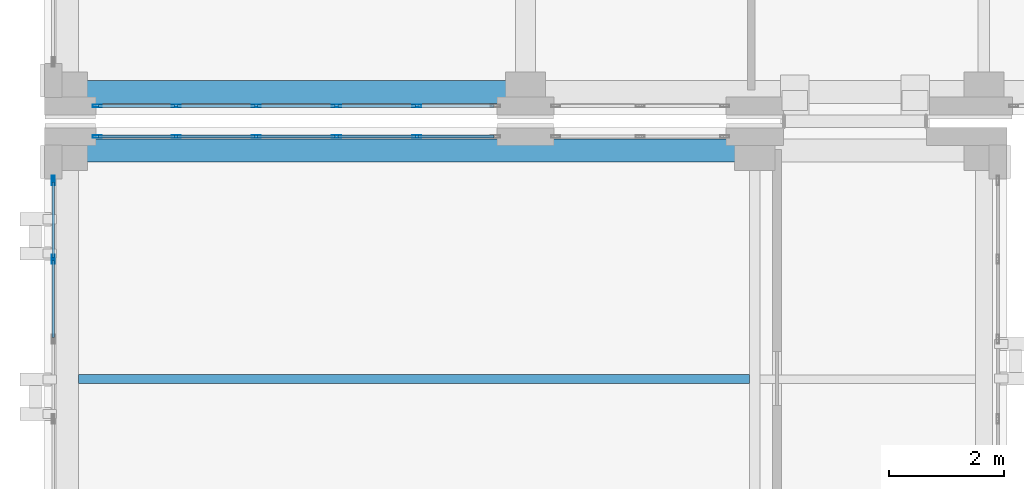
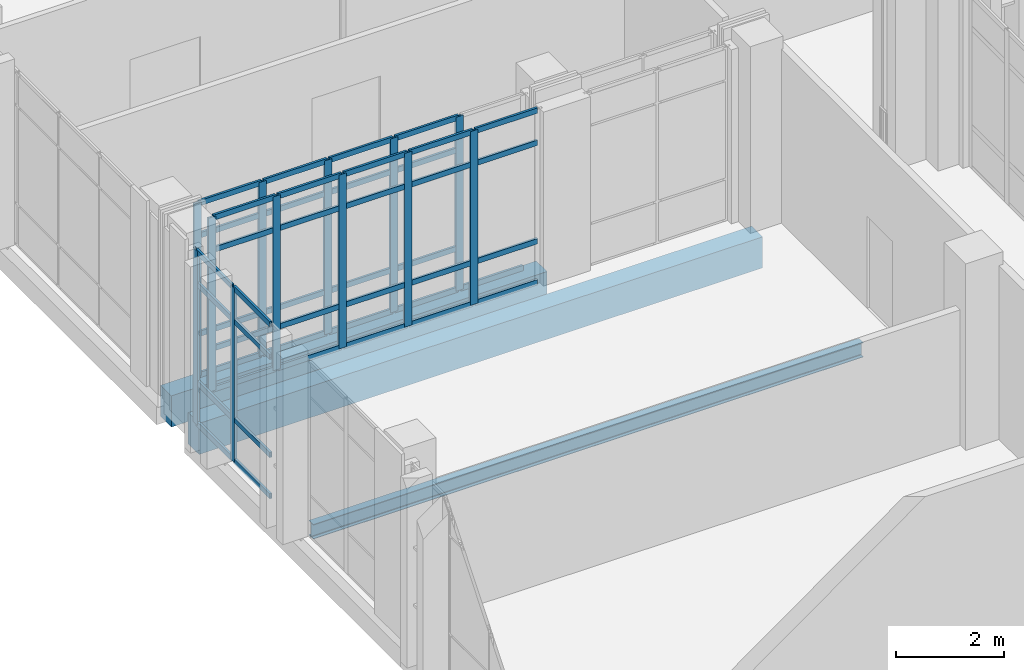
# One storey, part 81 of 193: 57 members, 3 beams, 3 elements without a shape of their own.
"""IFC4 building model written with IfcOpenShell, lengths in metres."""

from ifc_helpers import new_model, si_unit, direction, frame, origin, origin_2d, place, context, subcontext, project, spatial, rectangle, hollow_rectangle, i_section, extrude, material, layer, layer_set, material_profile, profile_set, type_object, element, aggregate, save


model = new_model("IFC4")

# Units and contexts
model_context = context("Model", 3, precision=1e-05, world=origin(), true_north=direction((0.0, 1.0)))
body_context = subcontext(model_context, "Body", "Model", "MODEL_VIEW")
ifc_project = project(units=[si_unit("LENGTHUNIT", "METRE"), si_unit("AREAUNIT", "SQUARE_METRE"), si_unit("VOLUMEUNIT", "CUBIC_METRE"), si_unit("PLANEANGLEUNIT", "RADIAN"), si_unit("MASSUNIT", "GRAM", prefix="KILO")], contexts=[model_context])

# Site, building, storey
site_placement = place(None, origin())
site = spatial("IfcSite", under=ifc_project, at=site_placement, CompositionType="ELEMENT")
building_placement = place(site_placement, origin())
building = spatial("IfcBuilding", under=site, at=building_placement, Name="Qalavern Law Courts", CompositionType="ELEMENT")
storey_placement = place(building_placement, frame((0.0, 0.0, 10.199951171875)))
storey = spatial("IfcBuildingStorey", under=building, at=storey_placement, Name="L02", CompositionType="ELEMENT", Elevation=10.199951171875)

# Curtain wall, members
ifc_material_1 = material(Name="Anodised aluminium and insulated glazing", Category="aluminium")
ifc_layer_1 = layer(ifc_material_1, 0.172119140625)
ifc_layer_set_1 = layer_set([ifc_layer_1], Name="Anodised aluminium and insulated glazing")
curtain_wall_type_1 = type_object("IfcCurtainWallType", Name="ENV-CW-COURT", PredefinedType="USERDEFINED", material=ifc_layer_set_1)
curtain_wall_1_placement = place(storey_placement, origin())
curtain_wall_1 = element("IfcCurtainWall", 1, at=curtain_wall_1_placement, inside=storey, type_object=curtain_wall_type_1, Name="V3 unitised curtain wall L02 north 2", ObjectType="UNITISED CURTAIN WALL", PredefinedType="USERDEFINED")
ifc_material_2 = material(Name="Anodised aluminium", Category="aluminium")
ifc_material_profile_1 = material_profile(ifc_material_2, hollow_rectangle(XDim=0.048095703125, YDim=0.159912109375, WallThickness=0.00390625, at=origin_2d()), Name="ALU MULLION 48x160")
ifc_profile_set_1 = profile_set([ifc_material_profile_1], Name="Anodised aluminium")
member_type_1 = type_object("IfcMemberType", Name="ENV-CWM-48x160", PredefinedType="MULLION", material=ifc_profile_set_1)
member_1_placement = place(storey_placement, frame((8.5, 95.824951171875, 0.0), z_axis=(0.0, 0.0, 1.0), x_axis=(0.0, -1.0, 0.0)))
member_1 = element("IfcMember", 2, at=member_1_placement, type_object=member_type_1, Name="CW-03 mullion 2", PredefinedType="MULLION", context=body_context, shape_type="SweptSolid", body=[
    extrude(hollow_rectangle(XDim=0.048095703125, YDim=0.159912109375, WallThickness=0.00390625, at=origin_2d()), origin(), (0.0, 0.0, 1.0), 3.9150390625),
])
member_2_placement = place(storey_placement, frame((7.10009765625, 95.824951171875, 0.0), z_axis=(0.0, 0.0, 1.0), x_axis=(0.0, -1.0, 0.0)))
member_2 = element("IfcMember", 3, at=member_2_placement, type_object=member_type_1, Name="CW-03 mullion 3", PredefinedType="MULLION", context=body_context, shape_type="SweptSolid", body=[
    extrude(hollow_rectangle(XDim=0.048095703125, YDim=0.159912109375, WallThickness=0.00390625, at=origin_2d()), origin(), (0.0, 0.0, 1.0), 3.9150390625),
])
member_3_placement = place(storey_placement, frame((5.699951171875, 95.824951171875, 0.0), z_axis=(0.0, 0.0, 1.0), x_axis=(0.0, -1.0, 0.0)))
member_3 = element("IfcMember", 4, at=member_3_placement, type_object=member_type_1, Name="CW-03 mullion 4", PredefinedType="MULLION", context=body_context, shape_type="SweptSolid", body=[
    extrude(hollow_rectangle(XDim=0.048095703125, YDim=0.159912109375, WallThickness=0.00390625, at=origin_2d()), origin(), (0.0, 0.0, 1.0), 3.9150390625),
])
member_4_placement = place(storey_placement, frame((4.300048828125, 95.824951171875, 0.0), z_axis=(0.0, 0.0, 1.0), x_axis=(0.0, -1.0, 0.0)))
member_4 = element("IfcMember", 5, at=member_4_placement, type_object=member_type_1, Name="CW-03 mullion 5", PredefinedType="MULLION", context=body_context, shape_type="SweptSolid", body=[
    extrude(hollow_rectangle(XDim=0.048095703125, YDim=0.159912109375, WallThickness=0.00390625, at=origin_2d()), origin(), (0.0, 0.0, 1.0), 3.9150390625),
])
member_5_placement = place(storey_placement, frame((2.924072265625, 95.824951171875, 0.0), z_axis=(0.0, 0.0, 1.0), x_axis=(0.0, -1.0, 0.0)))
member_5 = element("IfcMember", 6, at=member_5_placement, type_object=member_type_1, Name="CW-03 mullion 6", PredefinedType="MULLION", context=body_context, shape_type="SweptSolid", body=[
    extrude(hollow_rectangle(XDim=0.048095703125, YDim=0.159912109375, WallThickness=0.00390625, at=origin_2d()), origin(), (0.0, 0.0, 1.0), 3.9150390625),
])

curtain_wall_2_placement = place(storey_placement, origin())
curtain_wall_2 = element("IfcCurtainWall", 7, at=curtain_wall_2_placement, inside=storey, type_object=curtain_wall_type_1, Name="V3 unitised curtain wall L02 west 1", ObjectType="UNITISED CURTAIN WALL", PredefinedType="USERDEFINED")
member_6_placement = place(storey_placement, frame((2.155029296875, 95.055908203125, 0.0), z_axis=(0.0, 0.0, 1.0), x_axis=(1.0, 0.0, 0.0)))
member_6 = element("IfcMember", 8, at=member_6_placement, type_object=member_type_1, Name="CW-03 mullion 1", PredefinedType="MULLION", context=body_context, shape_type="SweptSolid", body=[
    extrude(hollow_rectangle(XDim=0.048095703125, YDim=0.159912109375, WallThickness=0.00390625, at=origin_2d()), origin(), (0.0, 0.0, 1.0), 3.9150390625),
])
member_7_placement = place(storey_placement, frame((2.155029296875, 93.68408203125, 0.0), z_axis=(0.0, 0.0, 1.0), x_axis=(1.0, 0.0, 0.0)))
member_7 = element("IfcMember", 9, at=member_7_placement, type_object=member_type_1, Name="CW-03 mullion 2", PredefinedType="MULLION", context=body_context, shape_type="SweptSolid", body=[
    extrude(hollow_rectangle(XDim=0.048095703125, YDim=0.159912109375, WallThickness=0.00390625, at=origin_2d()), origin(), (0.0, 0.0, 1.0), 3.9150390625),
])

ifc_layer_2 = layer(ifc_material_1, 0.166015625)
ifc_layer_set_2 = layer_set([ifc_layer_2], Name="Anodised aluminium and insulated glazing")
curtain_wall_type_2 = type_object("IfcCurtainWallType", Name="ENV-CW-LIB", PredefinedType="USERDEFINED", material=ifc_layer_set_2)
curtain_wall_3_placement = place(storey_placement, origin())
curtain_wall_3 = element("IfcCurtainWall", 10, at=curtain_wall_3_placement, inside=storey, type_object=curtain_wall_type_2, Name="V5 unitised curtain wall L02 south 1", ObjectType="UNITISED CURTAIN WALL", PredefinedType="USERDEFINED")
member_8_placement = place(storey_placement, frame((2.924072265625, 96.35498046875, 0.0), z_axis=(0.0, 0.0, 1.0), x_axis=(0.0, 1.0, 0.0)))
member_8 = element("IfcMember", 11, at=member_8_placement, type_object=member_type_1, Name="CW-05 mullion 1", PredefinedType="MULLION", context=body_context, shape_type="SweptSolid", body=[
    extrude(hollow_rectangle(XDim=0.048095703125, YDim=0.159912109375, WallThickness=0.00390625, at=origin_2d()), origin(), (0.0, 0.0, 1.0), 3.9150390625),
])
member_9_placement = place(storey_placement, frame((4.300048828125, 96.35498046875, 0.0), z_axis=(0.0, 0.0, 1.0), x_axis=(0.0, 1.0, 0.0)))
member_9 = element("IfcMember", 12, at=member_9_placement, type_object=member_type_1, Name="CW-05 mullion 2", PredefinedType="MULLION", context=body_context, shape_type="SweptSolid", body=[
    extrude(hollow_rectangle(XDim=0.048095703125, YDim=0.159912109375, WallThickness=0.00390625, at=origin_2d()), origin(), (0.0, 0.0, 1.0), 3.9150390625),
])
member_10_placement = place(storey_placement, frame((5.699951171875, 96.35498046875, 0.0), z_axis=(0.0, 0.0, 1.0), x_axis=(0.0, 1.0, 0.0)))
member_10 = element("IfcMember", 13, at=member_10_placement, type_object=member_type_1, Name="CW-05 mullion 3", PredefinedType="MULLION", context=body_context, shape_type="SweptSolid", body=[
    extrude(hollow_rectangle(XDim=0.048095703125, YDim=0.159912109375, WallThickness=0.00390625, at=origin_2d()), origin(), (0.0, 0.0, 1.0), 3.9150390625),
])
member_11_placement = place(storey_placement, frame((7.10009765625, 96.35498046875, 0.0), z_axis=(0.0, 0.0, 1.0), x_axis=(0.0, 1.0, 0.0)))
member_11 = element("IfcMember", 14, at=member_11_placement, type_object=member_type_1, Name="CW-05 mullion 4", PredefinedType="MULLION", context=body_context, shape_type="SweptSolid", body=[
    extrude(hollow_rectangle(XDim=0.048095703125, YDim=0.159912109375, WallThickness=0.00390625, at=origin_2d()), origin(), (0.0, 0.0, 1.0), 3.9150390625),
])
member_12_placement = place(storey_placement, frame((8.5, 96.35498046875, 0.0), z_axis=(0.0, 0.0, 1.0), x_axis=(0.0, 1.0, 0.0)))
member_12 = element("IfcMember", 15, at=member_12_placement, type_object=member_type_1, Name="CW-05 mullion 5", PredefinedType="MULLION", context=body_context, shape_type="SweptSolid", body=[
    extrude(hollow_rectangle(XDim=0.048095703125, YDim=0.159912109375, WallThickness=0.00390625, at=origin_2d()), origin(), (0.0, 0.0, 1.0), 3.9150390625),
])

# Member
ifc_material_profile_2 = material_profile(ifc_material_2, hollow_rectangle(XDim=0.048095703125, YDim=0.1201171875, WallThickness=0.00390625, at=origin_2d()), Name="ALU TRANSOM 48x120")
ifc_profile_set_2 = profile_set([ifc_material_profile_2], Name="Anodised aluminium")
member_type_2 = type_object("IfcMemberType", Name="ENV-CWT-48x120", PredefinedType="USERDEFINED", material=ifc_profile_set_2)
member_13_placement = place(storey_placement, frame((9.85205078125, 95.824951171875, 0.024169921875), z_axis=(-1.0, 0.0, 0.0), x_axis=(0.0, -1.0, 0.0)))
member_13 = element("IfcMember", 16, at=member_13_placement, type_object=member_type_2, Name="CW-03 transom 1.1", ObjectType="TRANSOM", PredefinedType="USERDEFINED", context=body_context, shape_type="SweptSolid", body=[
    extrude(hollow_rectangle(XDim=0.048095703125, YDim=0.1201171875, WallThickness=0.00390625, at=origin_2d()), origin(), (0.0, 0.0, 1.0), 1.328125),
])

member_14_placement = place(storey_placement, frame((9.85205078125, 95.824951171875, 0.949951171875), z_axis=(-1.0, 0.0, 0.0), x_axis=(0.0, -1.0, 0.0)))
member_14 = element("IfcMember", 17, at=member_14_placement, type_object=member_type_2, Name="CW-03 transom 1.2", ObjectType="TRANSOM", PredefinedType="USERDEFINED", context=body_context, shape_type="SweptSolid", body=[
    extrude(hollow_rectangle(XDim=0.048095703125, YDim=0.1201171875, WallThickness=0.00390625, at=origin_2d()), origin(), (0.0, 0.0, 1.0), 1.328125),
])

member_15_placement = place(storey_placement, frame((9.85205078125, 95.824951171875, 3.1650390625), z_axis=(-1.0, 0.0, 0.0), x_axis=(0.0, -1.0, 0.0)))
member_15 = element("IfcMember", 18, at=member_15_placement, type_object=member_type_2, Name="CW-03 transom 1.3", ObjectType="TRANSOM", PredefinedType="USERDEFINED", context=body_context, shape_type="SweptSolid", body=[
    extrude(hollow_rectangle(XDim=0.048095703125, YDim=0.1201171875, WallThickness=0.00390625, at=origin_2d()), origin(), (0.0, 0.0, 1.0), 1.328125),
])

member_16_placement = place(storey_placement, frame((9.85205078125, 95.824951171875, 3.89111328125), z_axis=(-1.0, 0.0, 0.0), x_axis=(0.0, -1.0, 0.0)))
member_16 = element("IfcMember", 19, at=member_16_placement, type_object=member_type_2, Name="CW-03 transom 1.4", ObjectType="TRANSOM", PredefinedType="USERDEFINED", context=body_context, shape_type="SweptSolid", body=[
    extrude(hollow_rectangle(XDim=0.048095703125, YDim=0.1201171875, WallThickness=0.00390625, at=origin_2d()), origin(), (0.0, 0.0, 1.0), 1.328125),
])

member_17_placement = place(storey_placement, frame((8.47607421875, 95.824951171875, 0.024169921875), z_axis=(-1.0, 0.0, 0.0), x_axis=(0.0, -1.0, 0.0)))
member_17 = element("IfcMember", 20, at=member_17_placement, type_object=member_type_2, Name="CW-03 transom 2.1", ObjectType="TRANSOM", PredefinedType="USERDEFINED", context=body_context, shape_type="SweptSolid", body=[
    extrude(hollow_rectangle(XDim=0.048095703125, YDim=0.1201171875, WallThickness=0.00390625, at=origin_2d()), origin(), (0.0, 0.0, 1.0), 1.35205078125),
])

member_18_placement = place(storey_placement, frame((8.47607421875, 95.824951171875, 0.949951171875), z_axis=(-1.0, 0.0, 0.0), x_axis=(0.0, -1.0, 0.0)))
member_18 = element("IfcMember", 21, at=member_18_placement, type_object=member_type_2, Name="CW-03 transom 2.2", ObjectType="TRANSOM", PredefinedType="USERDEFINED", context=body_context, shape_type="SweptSolid", body=[
    extrude(hollow_rectangle(XDim=0.048095703125, YDim=0.1201171875, WallThickness=0.00390625, at=origin_2d()), origin(), (0.0, 0.0, 1.0), 1.35205078125),
])

member_19_placement = place(storey_placement, frame((8.47607421875, 95.824951171875, 3.1650390625), z_axis=(-1.0, 0.0, 0.0), x_axis=(0.0, -1.0, 0.0)))
member_19 = element("IfcMember", 22, at=member_19_placement, type_object=member_type_2, Name="CW-03 transom 2.3", ObjectType="TRANSOM", PredefinedType="USERDEFINED", context=body_context, shape_type="SweptSolid", body=[
    extrude(hollow_rectangle(XDim=0.048095703125, YDim=0.1201171875, WallThickness=0.00390625, at=origin_2d()), origin(), (0.0, 0.0, 1.0), 1.35205078125),
])

member_20_placement = place(storey_placement, frame((8.47607421875, 95.824951171875, 3.89111328125), z_axis=(-1.0, 0.0, 0.0), x_axis=(0.0, -1.0, 0.0)))
member_20 = element("IfcMember", 23, at=member_20_placement, type_object=member_type_2, Name="CW-03 transom 2.4", ObjectType="TRANSOM", PredefinedType="USERDEFINED", context=body_context, shape_type="SweptSolid", body=[
    extrude(hollow_rectangle(XDim=0.048095703125, YDim=0.1201171875, WallThickness=0.00390625, at=origin_2d()), origin(), (0.0, 0.0, 1.0), 1.35205078125),
])

member_21_placement = place(storey_placement, frame((7.075927734375, 95.824951171875, 0.024169921875), z_axis=(-1.0, 0.0, 0.0), x_axis=(0.0, -1.0, 0.0)))
member_21 = element("IfcMember", 24, at=member_21_placement, type_object=member_type_2, Name="CW-03 transom 3.1", ObjectType="TRANSOM", PredefinedType="USERDEFINED", context=body_context, shape_type="SweptSolid", body=[
    extrude(hollow_rectangle(XDim=0.048095703125, YDim=0.1201171875, WallThickness=0.00390625, at=origin_2d()), origin(), (0.0, 0.0, 1.0), 1.351806640625),
])

member_22_placement = place(storey_placement, frame((7.075927734375, 95.824951171875, 0.949951171875), z_axis=(-1.0, 0.0, 0.0), x_axis=(0.0, -1.0, 0.0)))
member_22 = element("IfcMember", 25, at=member_22_placement, type_object=member_type_2, Name="CW-03 transom 3.2", ObjectType="TRANSOM", PredefinedType="USERDEFINED", context=body_context, shape_type="SweptSolid", body=[
    extrude(hollow_rectangle(XDim=0.048095703125, YDim=0.1201171875, WallThickness=0.00390625, at=origin_2d()), origin(), (0.0, 0.0, 1.0), 1.351806640625),
])

member_23_placement = place(storey_placement, frame((7.075927734375, 95.824951171875, 3.1650390625), z_axis=(-1.0, 0.0, 0.0), x_axis=(0.0, -1.0, 0.0)))
member_23 = element("IfcMember", 26, at=member_23_placement, type_object=member_type_2, Name="CW-03 transom 3.3", ObjectType="TRANSOM", PredefinedType="USERDEFINED", context=body_context, shape_type="SweptSolid", body=[
    extrude(hollow_rectangle(XDim=0.048095703125, YDim=0.1201171875, WallThickness=0.00390625, at=origin_2d()), origin(), (0.0, 0.0, 1.0), 1.351806640625),
])

member_24_placement = place(storey_placement, frame((7.075927734375, 95.824951171875, 3.89111328125), z_axis=(-1.0, 0.0, 0.0), x_axis=(0.0, -1.0, 0.0)))
member_24 = element("IfcMember", 27, at=member_24_placement, type_object=member_type_2, Name="CW-03 transom 3.4", ObjectType="TRANSOM", PredefinedType="USERDEFINED", context=body_context, shape_type="SweptSolid", body=[
    extrude(hollow_rectangle(XDim=0.048095703125, YDim=0.1201171875, WallThickness=0.00390625, at=origin_2d()), origin(), (0.0, 0.0, 1.0), 1.351806640625),
])

member_25_placement = place(storey_placement, frame((5.676025390625, 95.824951171875, 0.024169921875), z_axis=(-1.0, 0.0, 0.0), x_axis=(0.0, -1.0, 0.0)))
member_25 = element("IfcMember", 28, at=member_25_placement, type_object=member_type_2, Name="CW-03 transom 4.1", ObjectType="TRANSOM", PredefinedType="USERDEFINED", context=body_context, shape_type="SweptSolid", body=[
    extrude(hollow_rectangle(XDim=0.048095703125, YDim=0.1201171875, WallThickness=0.00390625, at=origin_2d()), origin(), (0.0, 0.0, 1.0), 1.35205078125),
])

member_26_placement = place(storey_placement, frame((5.676025390625, 95.824951171875, 0.949951171875), z_axis=(-1.0, 0.0, 0.0), x_axis=(0.0, -1.0, 0.0)))
member_26 = element("IfcMember", 29, at=member_26_placement, type_object=member_type_2, Name="CW-03 transom 4.2", ObjectType="TRANSOM", PredefinedType="USERDEFINED", context=body_context, shape_type="SweptSolid", body=[
    extrude(hollow_rectangle(XDim=0.048095703125, YDim=0.1201171875, WallThickness=0.00390625, at=origin_2d()), origin(), (0.0, 0.0, 1.0), 1.35205078125),
])

member_27_placement = place(storey_placement, frame((5.676025390625, 95.824951171875, 3.1650390625), z_axis=(-1.0, 0.0, 0.0), x_axis=(0.0, -1.0, 0.0)))
member_27 = element("IfcMember", 30, at=member_27_placement, type_object=member_type_2, Name="CW-03 transom 4.3", ObjectType="TRANSOM", PredefinedType="USERDEFINED", context=body_context, shape_type="SweptSolid", body=[
    extrude(hollow_rectangle(XDim=0.048095703125, YDim=0.1201171875, WallThickness=0.00390625, at=origin_2d()), origin(), (0.0, 0.0, 1.0), 1.35205078125),
])

member_28_placement = place(storey_placement, frame((5.676025390625, 95.824951171875, 3.89111328125), z_axis=(-1.0, 0.0, 0.0), x_axis=(0.0, -1.0, 0.0)))
member_28 = element("IfcMember", 31, at=member_28_placement, type_object=member_type_2, Name="CW-03 transom 4.4", ObjectType="TRANSOM", PredefinedType="USERDEFINED", context=body_context, shape_type="SweptSolid", body=[
    extrude(hollow_rectangle(XDim=0.048095703125, YDim=0.1201171875, WallThickness=0.00390625, at=origin_2d()), origin(), (0.0, 0.0, 1.0), 1.35205078125),
])

member_29_placement = place(storey_placement, frame((4.27587890625, 95.824951171875, 0.024169921875), z_axis=(-1.0, 0.0, 0.0), x_axis=(0.0, -1.0, 0.0)))
member_29 = element("IfcMember", 32, at=member_29_placement, type_object=member_type_2, Name="CW-03 transom 5.1", ObjectType="TRANSOM", PredefinedType="USERDEFINED", context=body_context, shape_type="SweptSolid", body=[
    extrude(hollow_rectangle(XDim=0.048095703125, YDim=0.1201171875, WallThickness=0.00390625, at=origin_2d()), origin(), (0.0, 0.0, 1.0), 1.327880859375),
])

member_30_placement = place(storey_placement, frame((4.27587890625, 95.824951171875, 0.949951171875), z_axis=(-1.0, 0.0, 0.0), x_axis=(0.0, -1.0, 0.0)))
member_30 = element("IfcMember", 33, at=member_30_placement, type_object=member_type_2, Name="CW-03 transom 5.2", ObjectType="TRANSOM", PredefinedType="USERDEFINED", context=body_context, shape_type="SweptSolid", body=[
    extrude(hollow_rectangle(XDim=0.048095703125, YDim=0.1201171875, WallThickness=0.00390625, at=origin_2d()), origin(), (0.0, 0.0, 1.0), 1.327880859375),
])

member_31_placement = place(storey_placement, frame((4.27587890625, 95.824951171875, 3.1650390625), z_axis=(-1.0, 0.0, 0.0), x_axis=(0.0, -1.0, 0.0)))
member_31 = element("IfcMember", 34, at=member_31_placement, type_object=member_type_2, Name="CW-03 transom 5.3", ObjectType="TRANSOM", PredefinedType="USERDEFINED", context=body_context, shape_type="SweptSolid", body=[
    extrude(hollow_rectangle(XDim=0.048095703125, YDim=0.1201171875, WallThickness=0.00390625, at=origin_2d()), origin(), (0.0, 0.0, 1.0), 1.327880859375),
])

member_32_placement = place(storey_placement, frame((4.27587890625, 95.824951171875, 3.89111328125), z_axis=(-1.0, 0.0, 0.0), x_axis=(0.0, -1.0, 0.0)))
member_32 = element("IfcMember", 35, at=member_32_placement, type_object=member_type_2, Name="CW-03 transom 5.4", ObjectType="TRANSOM", PredefinedType="USERDEFINED", context=body_context, shape_type="SweptSolid", body=[
    extrude(hollow_rectangle(XDim=0.048095703125, YDim=0.1201171875, WallThickness=0.00390625, at=origin_2d()), origin(), (0.0, 0.0, 1.0), 1.327880859375),
])

aggregate(curtain_wall_1, [member_1, member_2, member_3, member_4, member_5, member_13, member_14, member_15, member_16, member_17, member_18, member_19, member_20, member_21, member_22, member_23, member_24, member_25, member_26, member_27, member_28, member_29, member_30, member_31, member_32])

member_33_placement = place(storey_placement, frame((2.155029296875, 95.031982421875, 0.024169921875), z_axis=(0.0, -1.0, 0.0), x_axis=(1.0, 0.0, 0.0)))
member_33 = element("IfcMember", 36, at=member_33_placement, type_object=member_type_2, Name="CW-03 transom 1.1", ObjectType="TRANSOM", PredefinedType="USERDEFINED", context=body_context, shape_type="SweptSolid", body=[
    extrude(hollow_rectangle(XDim=0.048095703125, YDim=0.1201171875, WallThickness=0.00390625, at=origin_2d()), origin(), (0.0, 0.0, 1.0), 1.323974609375),
])

member_34_placement = place(storey_placement, frame((2.155029296875, 95.031982421875, 0.949951171875), z_axis=(0.0, -1.0, 0.0), x_axis=(1.0, 0.0, 0.0)))
member_34 = element("IfcMember", 37, at=member_34_placement, type_object=member_type_2, Name="CW-03 transom 1.2", ObjectType="TRANSOM", PredefinedType="USERDEFINED", context=body_context, shape_type="SweptSolid", body=[
    extrude(hollow_rectangle(XDim=0.048095703125, YDim=0.1201171875, WallThickness=0.00390625, at=origin_2d()), origin(), (0.0, 0.0, 1.0), 1.323974609375),
])

member_35_placement = place(storey_placement, frame((2.155029296875, 95.031982421875, 3.1650390625), z_axis=(0.0, -1.0, 0.0), x_axis=(1.0, 0.0, 0.0)))
member_35 = element("IfcMember", 38, at=member_35_placement, type_object=member_type_2, Name="CW-03 transom 1.3", ObjectType="TRANSOM", PredefinedType="USERDEFINED", context=body_context, shape_type="SweptSolid", body=[
    extrude(hollow_rectangle(XDim=0.048095703125, YDim=0.1201171875, WallThickness=0.00390625, at=origin_2d()), origin(), (0.0, 0.0, 1.0), 1.323974609375),
])

member_36_placement = place(storey_placement, frame((2.155029296875, 95.031982421875, 3.89111328125), z_axis=(0.0, -1.0, 0.0), x_axis=(1.0, 0.0, 0.0)))
member_36 = element("IfcMember", 39, at=member_36_placement, type_object=member_type_2, Name="CW-03 transom 1.4", ObjectType="TRANSOM", PredefinedType="USERDEFINED", context=body_context, shape_type="SweptSolid", body=[
    extrude(hollow_rectangle(XDim=0.048095703125, YDim=0.1201171875, WallThickness=0.00390625, at=origin_2d()), origin(), (0.0, 0.0, 1.0), 1.323974609375),
])

member_37_placement = place(storey_placement, frame((2.155029296875, 93.659912109375, 0.024169921875), z_axis=(0.0, -1.0, 0.0), x_axis=(1.0, 0.0, 0.0)))
member_37 = element("IfcMember", 40, at=member_37_placement, type_object=member_type_2, Name="CW-03 transom 2.1", ObjectType="TRANSOM", PredefinedType="USERDEFINED", context=body_context, shape_type="SweptSolid", body=[
    extrude(hollow_rectangle(XDim=0.048095703125, YDim=0.1201171875, WallThickness=0.00390625, at=origin_2d()), origin(), (0.0, 0.0, 1.0), 1.347900390625),
])

member_38_placement = place(storey_placement, frame((2.155029296875, 93.659912109375, 0.949951171875), z_axis=(0.0, -1.0, 0.0), x_axis=(1.0, 0.0, 0.0)))
member_38 = element("IfcMember", 41, at=member_38_placement, type_object=member_type_2, Name="CW-03 transom 2.2", ObjectType="TRANSOM", PredefinedType="USERDEFINED", context=body_context, shape_type="SweptSolid", body=[
    extrude(hollow_rectangle(XDim=0.048095703125, YDim=0.1201171875, WallThickness=0.00390625, at=origin_2d()), origin(), (0.0, 0.0, 1.0), 1.347900390625),
])

member_39_placement = place(storey_placement, frame((2.155029296875, 93.659912109375, 3.1650390625), z_axis=(0.0, -1.0, 0.0), x_axis=(1.0, 0.0, 0.0)))
member_39 = element("IfcMember", 42, at=member_39_placement, type_object=member_type_2, Name="CW-03 transom 2.3", ObjectType="TRANSOM", PredefinedType="USERDEFINED", context=body_context, shape_type="SweptSolid", body=[
    extrude(hollow_rectangle(XDim=0.048095703125, YDim=0.1201171875, WallThickness=0.00390625, at=origin_2d()), origin(), (0.0, 0.0, 1.0), 1.347900390625),
])

member_40_placement = place(storey_placement, frame((2.155029296875, 93.659912109375, 3.89111328125), z_axis=(0.0, -1.0, 0.0), x_axis=(1.0, 0.0, 0.0)))
member_40 = element("IfcMember", 43, at=member_40_placement, type_object=member_type_2, Name="CW-03 transom 2.4", ObjectType="TRANSOM", PredefinedType="USERDEFINED", context=body_context, shape_type="SweptSolid", body=[
    extrude(hollow_rectangle(XDim=0.048095703125, YDim=0.1201171875, WallThickness=0.00390625, at=origin_2d()), origin(), (0.0, 0.0, 1.0), 1.347900390625),
])

aggregate(curtain_wall_2, [member_6, member_7, member_33, member_34, member_35, member_36, member_37, member_38, member_39, member_40])

member_41_placement = place(storey_placement, frame((2.947998046875, 96.35498046875, 0.024169921875), z_axis=(1.0, 0.0, 0.0), x_axis=(0.0, 1.0, 0.0)))
member_41 = element("IfcMember", 44, at=member_41_placement, type_object=member_type_2, Name="CW-05 transom 1.1", ObjectType="TRANSOM", PredefinedType="USERDEFINED", context=body_context, shape_type="SweptSolid", body=[
    extrude(hollow_rectangle(XDim=0.048095703125, YDim=0.1201171875, WallThickness=0.00390625, at=origin_2d()), origin(), (0.0, 0.0, 1.0), 1.327880859375),
])

member_42_placement = place(storey_placement, frame((2.947998046875, 96.35498046875, 0.949951171875), z_axis=(1.0, 0.0, 0.0), x_axis=(0.0, 1.0, 0.0)))
member_42 = element("IfcMember", 45, at=member_42_placement, type_object=member_type_2, Name="CW-05 transom 1.2", ObjectType="TRANSOM", PredefinedType="USERDEFINED", context=body_context, shape_type="SweptSolid", body=[
    extrude(hollow_rectangle(XDim=0.048095703125, YDim=0.1201171875, WallThickness=0.00390625, at=origin_2d()), origin(), (0.0, 0.0, 1.0), 1.327880859375),
])

member_43_placement = place(storey_placement, frame((2.947998046875, 96.35498046875, 3.1650390625), z_axis=(1.0, 0.0, 0.0), x_axis=(0.0, 1.0, 0.0)))
member_43 = element("IfcMember", 46, at=member_43_placement, type_object=member_type_2, Name="CW-05 transom 1.3", ObjectType="TRANSOM", PredefinedType="USERDEFINED", context=body_context, shape_type="SweptSolid", body=[
    extrude(hollow_rectangle(XDim=0.048095703125, YDim=0.1201171875, WallThickness=0.00390625, at=origin_2d()), origin(), (0.0, 0.0, 1.0), 1.327880859375),
])

member_44_placement = place(storey_placement, frame((2.947998046875, 96.35498046875, 3.89111328125), z_axis=(1.0, 0.0, 0.0), x_axis=(0.0, 1.0, 0.0)))
member_44 = element("IfcMember", 47, at=member_44_placement, type_object=member_type_2, Name="CW-05 transom 1.4", ObjectType="TRANSOM", PredefinedType="USERDEFINED", context=body_context, shape_type="SweptSolid", body=[
    extrude(hollow_rectangle(XDim=0.048095703125, YDim=0.1201171875, WallThickness=0.00390625, at=origin_2d()), origin(), (0.0, 0.0, 1.0), 1.327880859375),
])

member_45_placement = place(storey_placement, frame((4.323974609375, 96.35498046875, 0.024169921875), z_axis=(1.0, 0.0, 0.0), x_axis=(0.0, 1.0, 0.0)))
member_45 = element("IfcMember", 48, at=member_45_placement, type_object=member_type_2, Name="CW-05 transom 2.1", ObjectType="TRANSOM", PredefinedType="USERDEFINED", context=body_context, shape_type="SweptSolid", body=[
    extrude(hollow_rectangle(XDim=0.048095703125, YDim=0.1201171875, WallThickness=0.00390625, at=origin_2d()), origin(), (0.0, 0.0, 1.0), 1.35205078125),
])

member_46_placement = place(storey_placement, frame((4.323974609375, 96.35498046875, 0.949951171875), z_axis=(1.0, 0.0, 0.0), x_axis=(0.0, 1.0, 0.0)))
member_46 = element("IfcMember", 49, at=member_46_placement, type_object=member_type_2, Name="CW-05 transom 2.2", ObjectType="TRANSOM", PredefinedType="USERDEFINED", context=body_context, shape_type="SweptSolid", body=[
    extrude(hollow_rectangle(XDim=0.048095703125, YDim=0.1201171875, WallThickness=0.00390625, at=origin_2d()), origin(), (0.0, 0.0, 1.0), 1.35205078125),
])

member_47_placement = place(storey_placement, frame((4.323974609375, 96.35498046875, 3.1650390625), z_axis=(1.0, 0.0, 0.0), x_axis=(0.0, 1.0, 0.0)))
member_47 = element("IfcMember", 50, at=member_47_placement, type_object=member_type_2, Name="CW-05 transom 2.3", ObjectType="TRANSOM", PredefinedType="USERDEFINED", context=body_context, shape_type="SweptSolid", body=[
    extrude(hollow_rectangle(XDim=0.048095703125, YDim=0.1201171875, WallThickness=0.00390625, at=origin_2d()), origin(), (0.0, 0.0, 1.0), 1.35205078125),
])

member_48_placement = place(storey_placement, frame((4.323974609375, 96.35498046875, 3.89111328125), z_axis=(1.0, 0.0, 0.0), x_axis=(0.0, 1.0, 0.0)))
member_48 = element("IfcMember", 51, at=member_48_placement, type_object=member_type_2, Name="CW-05 transom 2.4", ObjectType="TRANSOM", PredefinedType="USERDEFINED", context=body_context, shape_type="SweptSolid", body=[
    extrude(hollow_rectangle(XDim=0.048095703125, YDim=0.1201171875, WallThickness=0.00390625, at=origin_2d()), origin(), (0.0, 0.0, 1.0), 1.35205078125),
])

member_49_placement = place(storey_placement, frame((5.72412109375, 96.35498046875, 0.024169921875), z_axis=(1.0, 0.0, 0.0), x_axis=(0.0, 1.0, 0.0)))
member_49 = element("IfcMember", 52, at=member_49_placement, type_object=member_type_2, Name="CW-05 transom 3.1", ObjectType="TRANSOM", PredefinedType="USERDEFINED", context=body_context, shape_type="SweptSolid", body=[
    extrude(hollow_rectangle(XDim=0.048095703125, YDim=0.1201171875, WallThickness=0.00390625, at=origin_2d()), origin(), (0.0, 0.0, 1.0), 1.351806640625),
])

member_50_placement = place(storey_placement, frame((5.72412109375, 96.35498046875, 0.949951171875), z_axis=(1.0, 0.0, 0.0), x_axis=(0.0, 1.0, 0.0)))
member_50 = element("IfcMember", 53, at=member_50_placement, type_object=member_type_2, Name="CW-05 transom 3.2", ObjectType="TRANSOM", PredefinedType="USERDEFINED", context=body_context, shape_type="SweptSolid", body=[
    extrude(hollow_rectangle(XDim=0.048095703125, YDim=0.1201171875, WallThickness=0.00390625, at=origin_2d()), origin(), (0.0, 0.0, 1.0), 1.351806640625),
])

member_51_placement = place(storey_placement, frame((5.72412109375, 96.35498046875, 3.1650390625), z_axis=(1.0, 0.0, 0.0), x_axis=(0.0, 1.0, 0.0)))
member_51 = element("IfcMember", 54, at=member_51_placement, type_object=member_type_2, Name="CW-05 transom 3.3", ObjectType="TRANSOM", PredefinedType="USERDEFINED", context=body_context, shape_type="SweptSolid", body=[
    extrude(hollow_rectangle(XDim=0.048095703125, YDim=0.1201171875, WallThickness=0.00390625, at=origin_2d()), origin(), (0.0, 0.0, 1.0), 1.351806640625),
])

member_52_placement = place(storey_placement, frame((5.72412109375, 96.35498046875, 3.89111328125), z_axis=(1.0, 0.0, 0.0), x_axis=(0.0, 1.0, 0.0)))
member_52 = element("IfcMember", 55, at=member_52_placement, type_object=member_type_2, Name="CW-05 transom 3.4", ObjectType="TRANSOM", PredefinedType="USERDEFINED", context=body_context, shape_type="SweptSolid", body=[
    extrude(hollow_rectangle(XDim=0.048095703125, YDim=0.1201171875, WallThickness=0.00390625, at=origin_2d()), origin(), (0.0, 0.0, 1.0), 1.351806640625),
])

member_53_placement = place(storey_placement, frame((7.1240234375, 96.35498046875, 0.024169921875), z_axis=(1.0, 0.0, 0.0), x_axis=(0.0, 1.0, 0.0)))
member_53 = element("IfcMember", 56, at=member_53_placement, type_object=member_type_2, Name="CW-05 transom 4.1", ObjectType="TRANSOM", PredefinedType="USERDEFINED", context=body_context, shape_type="SweptSolid", body=[
    extrude(hollow_rectangle(XDim=0.048095703125, YDim=0.1201171875, WallThickness=0.00390625, at=origin_2d()), origin(), (0.0, 0.0, 1.0), 1.35205078125),
])

member_54_placement = place(storey_placement, frame((7.1240234375, 96.35498046875, 0.949951171875), z_axis=(1.0, 0.0, 0.0), x_axis=(0.0, 1.0, 0.0)))
member_54 = element("IfcMember", 57, at=member_54_placement, type_object=member_type_2, Name="CW-05 transom 4.2", ObjectType="TRANSOM", PredefinedType="USERDEFINED", context=body_context, shape_type="SweptSolid", body=[
    extrude(hollow_rectangle(XDim=0.048095703125, YDim=0.1201171875, WallThickness=0.00390625, at=origin_2d()), origin(), (0.0, 0.0, 1.0), 1.35205078125),
])

member_55_placement = place(storey_placement, frame((7.1240234375, 96.35498046875, 3.1650390625), z_axis=(1.0, 0.0, 0.0), x_axis=(0.0, 1.0, 0.0)))
member_55 = element("IfcMember", 58, at=member_55_placement, type_object=member_type_2, Name="CW-05 transom 4.3", ObjectType="TRANSOM", PredefinedType="USERDEFINED", context=body_context, shape_type="SweptSolid", body=[
    extrude(hollow_rectangle(XDim=0.048095703125, YDim=0.1201171875, WallThickness=0.00390625, at=origin_2d()), origin(), (0.0, 0.0, 1.0), 1.35205078125),
])

member_56_placement = place(storey_placement, frame((7.1240234375, 96.35498046875, 3.89111328125), z_axis=(1.0, 0.0, 0.0), x_axis=(0.0, 1.0, 0.0)))
member_56 = element("IfcMember", 59, at=member_56_placement, type_object=member_type_2, Name="CW-05 transom 4.4", ObjectType="TRANSOM", PredefinedType="USERDEFINED", context=body_context, shape_type="SweptSolid", body=[
    extrude(hollow_rectangle(XDim=0.048095703125, YDim=0.1201171875, WallThickness=0.00390625, at=origin_2d()), origin(), (0.0, 0.0, 1.0), 1.35205078125),
])

member_57_placement = place(storey_placement, frame((8.52392578125, 96.35498046875, 0.024169921875), z_axis=(1.0, 0.0, 0.0), x_axis=(0.0, 1.0, 0.0)))
member_57 = element("IfcMember", 60, at=member_57_placement, type_object=member_type_2, Name="CW-05 transom 5.1", ObjectType="TRANSOM", PredefinedType="USERDEFINED", context=body_context, shape_type="SweptSolid", body=[
    extrude(hollow_rectangle(XDim=0.048095703125, YDim=0.1201171875, WallThickness=0.00390625, at=origin_2d()), origin(), (0.0, 0.0, 1.0), 1.328125),
])

aggregate(curtain_wall_3, [member_8, member_9, member_10, member_11, member_12, member_41, member_42, member_43, member_44, member_45, member_46, member_47, member_48, member_49, member_50, member_51, member_52, member_53, member_54, member_55, member_56, member_57])

# Beams
ifc_material_3 = material(Name="Steel S355", Category="steel")
ifc_material_profile_3 = material_profile(ifc_material_3, i_section(OverallWidth=0.159912109375, OverallDepth=0.330078125, WebThickness=0.007568359375, FlangeThickness=0.011474609375, FilletRadius=0.01806640625, at=origin_2d()), Name="IPE 330")
ifc_profile_set_3 = profile_set([ifc_material_profile_3], Name="Steel S355")
beam_type_1 = type_object("IfcBeamType", Name="STR-JST-IPE330", PredefinedType="JOIST", material=ifc_profile_set_3)
beam_1_placement = place(storey_placement, frame((2.597900390625, 91.590087890625, -0.454833984375), z_axis=(1.0, 0.0, 0.0), x_axis=(0.0, 1.0, 0.0)))
element("IfcBeam", 61, at=beam_1_placement, inside=storey, type_object=beam_type_1, Name="V3 secondary joist 1.7.1 L02", PredefinedType="JOIST", context=body_context, shape_type="SweptSolid", body=[
    extrude(i_section(OverallWidth=0.159912109375, OverallDepth=0.330078125, WebThickness=0.007568359375, FlangeThickness=0.011474609375, FilletRadius=0.01806640625, at=origin_2d()), origin(), (0.0, 0.0, 1.0), 11.714111328125),
])
ifc_material_4 = material(Name="Concrete C40/50", Category="concrete")
ifc_material_profile_4 = material_profile(ifc_material_4, rectangle(XDim=0.39990234375, YDim=0.699951171875, at=origin_2d()), Name="RC 400x700")
ifc_profile_set_4 = profile_set([ifc_material_profile_4], Name="Concrete C40/50")
beam_type_2 = type_object("IfcBeamType", Name="STR-SP-RC400x700", PredefinedType="SPANDREL", material=ifc_profile_set_4)
beam_2_placement = place(storey_placement, frame((2.39990234375, 95.580078125, -0.639892578125), z_axis=(1.0, 0.0, 0.0), x_axis=(0.0, 1.0, 0.0)))
element("IfcBeam", 62, at=beam_2_placement, inside=storey, type_object=beam_type_2, Name="V3 X-beam 8-1 L02", PredefinedType="SPANDREL", context=body_context, shape_type="SweptSolid", body=[
    extrude(rectangle(XDim=0.39990234375, YDim=0.699951171875, at=origin_2d()), origin(), (0.0, 0.0, 1.0), 12.0),
])
beam_3_placement = place(storey_placement, frame((2.39990234375, 96.60009765625, -0.639892578125), z_axis=(1.0, 0.0, 0.0), x_axis=(0.0, 1.0, 0.0)))
element("IfcBeam", 63, at=beam_3_placement, inside=storey, type_object=beam_type_2, Name="V5 X-beam 1-1 L02", PredefinedType="SPANDREL", context=body_context, shape_type="SweptSolid", body=[
    extrude(rectangle(XDim=0.39990234375, YDim=0.699951171875, at=origin_2d()), origin(), (0.0, 0.0, 1.0), 8.0),
])

save(model, "model.ifc")
